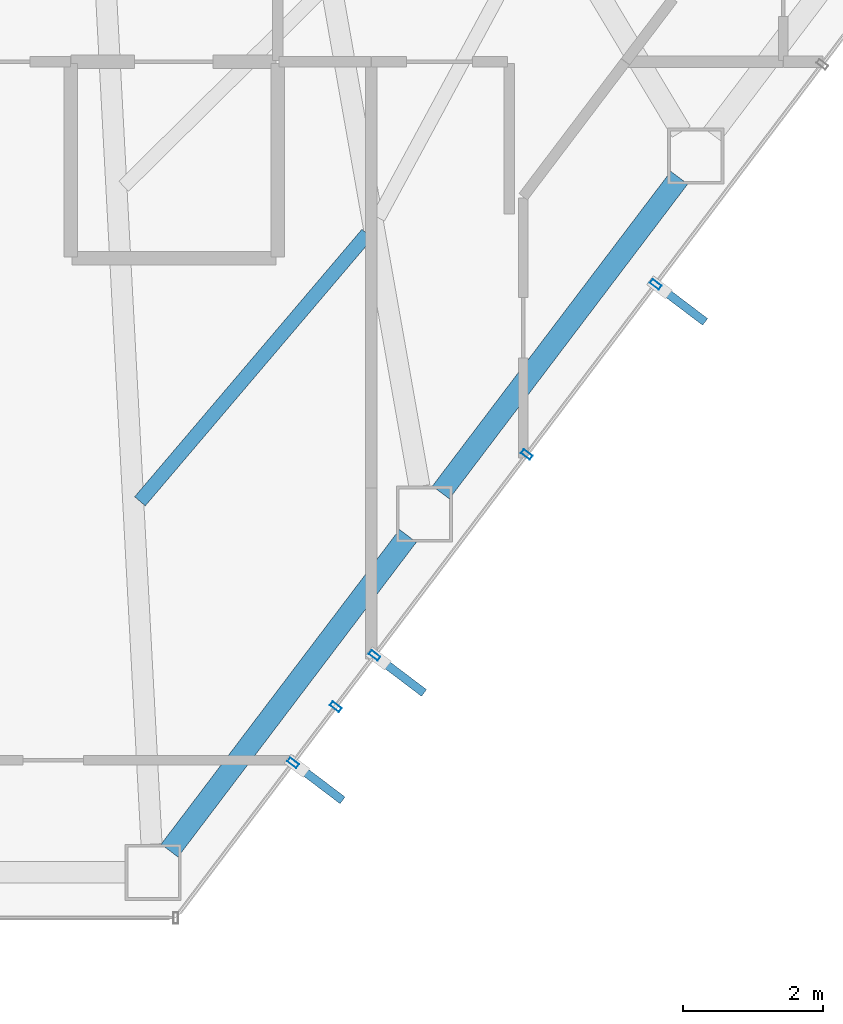
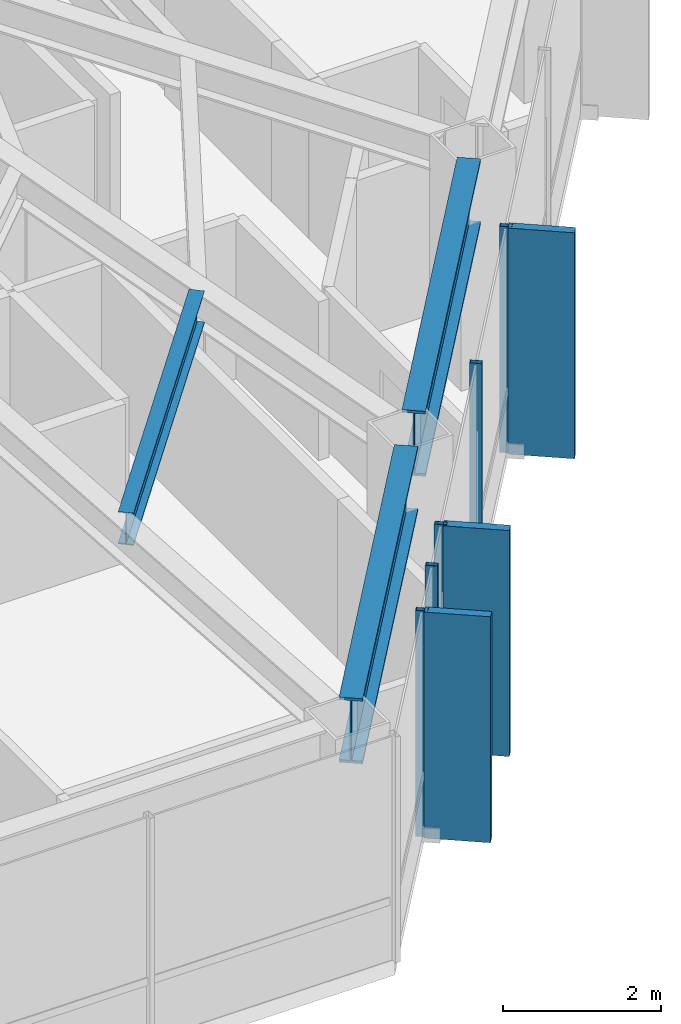
# One storey, part 17 of 29: 8 members, 3 beams, 1 element without a shape of its own.
"""IFC4 building model written with IfcOpenShell, lengths in metres."""

from ifc_helpers import new_model, si_unit, direction, frame, origin, origin_2d, place, context, subcontext, project, spatial, rectangle, hollow_rectangle, i_section, extrude, material, layer, layer_set, material_profile, profile_set, type_object, element, aggregate, save


model = new_model("IFC4")

# Units and contexts
model_context = context("Model", 3, precision=1e-05, world=origin(), true_north=direction((0.0, 1.0)))
body_context = subcontext(model_context, "Body", "Model", "MODEL_VIEW")
ifc_project = project(units=[si_unit("LENGTHUNIT", "METRE"), si_unit("AREAUNIT", "SQUARE_METRE"), si_unit("VOLUMEUNIT", "CUBIC_METRE"), si_unit("PLANEANGLEUNIT", "RADIAN"), si_unit("MASSUNIT", "GRAM", prefix="KILO")], contexts=[model_context])

# Site, building, storey
site_placement = place(None, origin())
site = spatial("IfcSite", under=ifc_project, at=site_placement, CompositionType="ELEMENT")
building_placement = place(site_placement, origin())
building = spatial("IfcBuilding", under=site, at=building_placement, Name="Zarrinselat Tower", CompositionType="ELEMENT")
storey_placement = place(building_placement, frame((0.0, 0.0, 134.639892578125)))
storey = spatial("IfcBuildingStorey", under=building, at=storey_placement, Name="L32", CompositionType="ELEMENT", Elevation=134.639892578125)

# Beams
ifc_material_1 = material(Name="Steel S460M", Category="steel")
ifc_material_profile_1 = material_profile(ifc_material_1, i_section(OverallWidth=0.302001953125, OverallDepth=1.008056640625, WebThickness=0.02099609375, FlangeThickness=0.0400390625, at=origin_2d()), Name="HEM 1000")
ifc_profile_set_1 = profile_set([ifc_material_profile_1], Name="Steel S460M")
beam_type_1 = type_object("IfcBeamType", Name="BM-HEM1000", PredefinedType="BEAM", material=ifc_profile_set_1)
beam_1_placement = place(storey_placement, frame((46.80810546875, 18.905029296875, 2.99609375), z_axis=(0.603857687995, 0.797092148154, 0.0), x_axis=(-0.797092148154, 0.603857687995, 0.0)))
element("IfcBeam", 1, at=beam_1_placement, inside=storey, type_object=beam_type_1, Name="L32 Perimeter Spandrel Girder SP11", PredefinedType="BEAM", context=body_context, shape_type="SweptSolid", body=[
    extrude(i_section(OverallWidth=0.302001953125, OverallDepth=1.008056640625, WebThickness=0.02099609375, FlangeThickness=0.0400390625, at=origin_2d()), origin(), (0.0, 0.0, 1.0), 5.6298828125),
])
beam_2_placement = place(storey_placement, frame((50.676513671875, 24.01123046875, 2.99609375), z_axis=(0.603851008245, 0.797097208527, 0.0), x_axis=(-0.797097208527, 0.603851008245, 0.0)))
element("IfcBeam", 2, at=beam_2_placement, inside=storey, type_object=beam_type_1, Name="L32 Perimeter Spandrel Girder SP12", PredefinedType="BEAM", context=body_context, shape_type="SweptSolid", body=[
    extrude(i_section(OverallWidth=0.302001953125, OverallDepth=1.008056640625, WebThickness=0.02099609375, FlangeThickness=0.0400390625, at=origin_2d()), origin(), (0.0, 0.0, 1.0), 5.629638671875),
])
ifc_material_2 = material(Name="Steel S355J2", Category="steel")
ifc_material_profile_2 = material_profile(ifc_material_2, i_section(OverallWidth=0.199951171875, OverallDepth=0.5, WebThickness=0.01025390625, FlangeThickness=0.01611328125, at=origin_2d()), Name="IPE 500")
ifc_profile_set_2 = profile_set([ifc_material_profile_2], Name="Steel S355J2")
beam_type_2 = type_object("IfcBeamType", Name="BM-IPE500", PredefinedType="JOIST", material=ifc_profile_set_2)
beam_3_placement = place(storey_placement, frame((46.38720703125, 23.88525390625, 3.25), z_axis=(0.647635673761, 0.76195015196, 0.0), x_axis=(-0.76195015196, 0.647635673761, 0.0)))
element("IfcBeam", 3, at=beam_3_placement, inside=storey, type_object=beam_type_2, Name="L32 Composite Floor Joist 3-1", PredefinedType="JOIST", context=body_context, shape_type="SweptSolid", body=[
    extrude(i_section(OverallWidth=0.199951171875, OverallDepth=0.5, WebThickness=0.01025390625, FlangeThickness=0.01611328125, at=origin_2d()), origin(), (0.0, 0.0, 1.0), 5.00390625),
])

# Curtain wall, members
ifc_material_3 = material(Name="Extruded Aluminium Alloy EN AW-6063 T6", Category="aluminium")
ifc_layer = layer(ifc_material_3, 0.175048828125)
ifc_layer_set = layer_set([ifc_layer], Name="Extruded Aluminium Alloy EN AW-6063 T6")
curtain_wall_type = type_object("IfcCurtainWallType", Name="CWS-HTL", PredefinedType="NOTDEFINED", material=ifc_layer_set)
curtain_wall_placement = place(storey_placement, origin())
curtain_wall = element("IfcCurtainWall", 4, at=curtain_wall_placement, inside=storey, type_object=curtain_wall_type, Name="L32 Unitised Curtain Wall CW-L32-E05", PredefinedType="NOTDEFINED")
ifc_material_4 = material(Name="Extruded Aluminium Alloy EN AW-6063 T6", Category="aluminium")
ifc_material_profile_3 = material_profile(ifc_material_4, hollow_rectangle(XDim=0.070068359375, YDim=0.159912109375, WallThickness=0.00390625, at=origin_2d()), Name="RHS 160x70x4")
ifc_profile_set_3 = profile_set([ifc_material_profile_3], Name="Extruded Aluminium Alloy EN AW-6063 T6")
member_type_1 = type_object("IfcMemberType", Name="MEM-CW-MUL2", PredefinedType="MULLION", material=ifc_profile_set_3)
member_1_placement = place(storey_placement, frame((48.57080078125, 20.155517578125, 0.0), z_axis=(0.0, 0.0, 1.0), x_axis=(0.603855794642, 0.797093582509, 0.0)))
member_1 = element("IfcMember", 5, at=member_1_placement, type_object=member_type_1, Name="CW-L32-E05 Mullion 1", PredefinedType="MULLION", context=body_context, shape_type="SweptSolid", body=[
    extrude(hollow_rectangle(XDim=0.070068359375, YDim=0.159912109375, WallThickness=0.00390625, at=origin_2d()), origin(), (0.0, 0.0, 1.0), 3.5),
])
member_2_placement = place(storey_placement, frame((49.177734375, 20.956298828125, 0.0), z_axis=(0.0, 0.0, 1.0), x_axis=(0.603855794642, 0.797093582509, 0.0)))
member_2 = element("IfcMember", 6, at=member_2_placement, type_object=member_type_1, Name="CW-L32-E05 Mullion 2", PredefinedType="MULLION", context=body_context, shape_type="SweptSolid", body=[
    extrude(hollow_rectangle(XDim=0.070068359375, YDim=0.159912109375, WallThickness=0.00390625, at=origin_2d()), origin(), (0.0, 0.0, 1.0), 3.5),
])
member_3_placement = place(storey_placement, frame((49.7314453125, 21.6875, 0.0), z_axis=(0.0, 0.0, 1.0), x_axis=(0.603855794642, 0.797093582509, 0.0)))
member_3 = element("IfcMember", 7, at=member_3_placement, type_object=member_type_1, Name="CW-L32-E05 Mullion 3", PredefinedType="MULLION", context=body_context, shape_type="SweptSolid", body=[
    extrude(hollow_rectangle(XDim=0.070068359375, YDim=0.159912109375, WallThickness=0.00390625, at=origin_2d()), origin(), (0.0, 0.0, 1.0), 3.5),
])
member_4_placement = place(storey_placement, frame((51.90185546875, 24.552490234375, 0.0), z_axis=(0.0, 0.0, 1.0), x_axis=(0.603855794642, 0.797093582509, 0.0)))
member_4 = element("IfcMember", 8, at=member_4_placement, type_object=member_type_1, Name="CW-L32-E05 Mullion 4", PredefinedType="MULLION", context=body_context, shape_type="SweptSolid", body=[
    extrude(hollow_rectangle(XDim=0.070068359375, YDim=0.159912109375, WallThickness=0.00390625, at=origin_2d()), origin(), (0.0, 0.0, 1.0), 3.5),
])
member_5_placement = place(storey_placement, frame((53.7392578125, 26.9775390625, 0.0), z_axis=(0.0, 0.0, 1.0), x_axis=(0.603855794642, 0.797093582509, 0.0)))
member_5 = element("IfcMember", 9, at=member_5_placement, type_object=member_type_1, Name="CW-L32-E05 Mullion 5", PredefinedType="MULLION", context=body_context, shape_type="SweptSolid", body=[
    extrude(hollow_rectangle(XDim=0.070068359375, YDim=0.159912109375, WallThickness=0.00390625, at=origin_2d()), origin(), (0.0, 0.0, 1.0), 3.5),
])
ifc_material_5 = material(Name="Honed Cream Travertine Stone", Category="masonry")
ifc_material_profile_4 = material_profile(ifc_material_5, rectangle(XDim=0.1201171875, YDim=0.85009765625, at=origin_2d()), Name="FIN 850x120")
ifc_profile_set_4 = profile_set([ifc_material_profile_4], Name="Honed Cream Travertine Stone")
member_type_2 = type_object("IfcMemberType", Name="MEM-STONE-FIN", PredefinedType="USERDEFINED", material=ifc_profile_set_4)
member_6_placement = place(storey_placement, frame((48.9375, 19.877685546875, 0.0), z_axis=(0.0, 0.0, 1.0), x_axis=(-0.603855794642, -0.797093582509, 0.0)))
member_6 = element("IfcMember", 10, at=member_6_placement, type_object=member_type_2, Name="L32 Stone Shading Fin CW-L32-E05-01", ObjectType="FIN", PredefinedType="USERDEFINED", context=body_context, shape_type="SweptSolid", body=[
    extrude(rectangle(XDim=0.1201171875, YDim=0.85009765625, at=origin_2d()), origin(), (0.0, 0.0, 1.0), 3.5),
])
member_7_placement = place(storey_placement, frame((50.09814453125, 21.40966796875, 0.0), z_axis=(0.0, 0.0, 1.0), x_axis=(-0.603855794642, -0.797093582509, 0.0)))
member_7 = element("IfcMember", 11, at=member_7_placement, type_object=member_type_2, Name="L32 Stone Shading Fin CW-L32-E05-03", ObjectType="FIN", PredefinedType="USERDEFINED", context=body_context, shape_type="SweptSolid", body=[
    extrude(rectangle(XDim=0.1201171875, YDim=0.85009765625, at=origin_2d()), origin(), (0.0, 0.0, 1.0), 3.5),
])
member_8_placement = place(storey_placement, frame((54.10595703125, 26.69970703125, 0.0), z_axis=(0.0, 0.0, 1.0), x_axis=(-0.603855794642, -0.797093582509, 0.0)))
member_8 = element("IfcMember", 12, at=member_8_placement, type_object=member_type_2, Name="L32 Stone Shading Fin CW-L32-E05-05", ObjectType="FIN", PredefinedType="USERDEFINED", context=body_context, shape_type="SweptSolid", body=[
    extrude(rectangle(XDim=0.1201171875, YDim=0.85009765625, at=origin_2d()), origin(), (0.0, 0.0, 1.0), 3.5),
])
aggregate(curtain_wall, [member_1, member_6, member_2, member_3, member_7, member_4, member_5, member_8])

save(model, "model.ifc")
